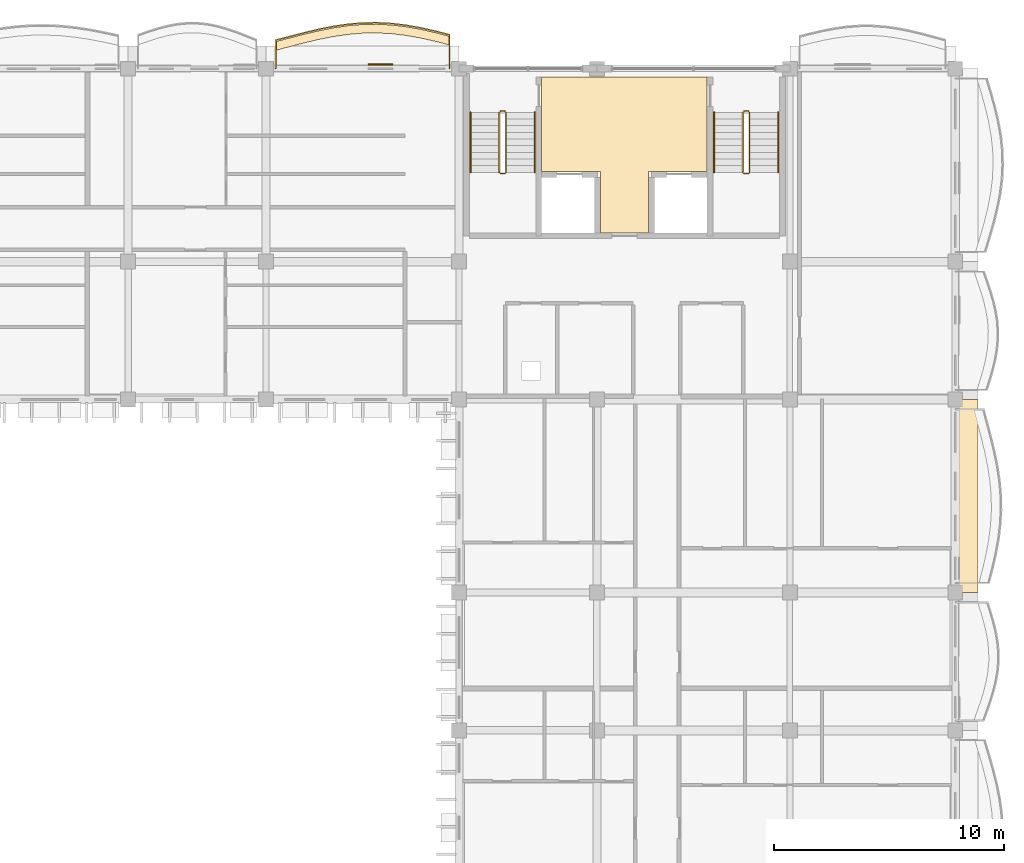
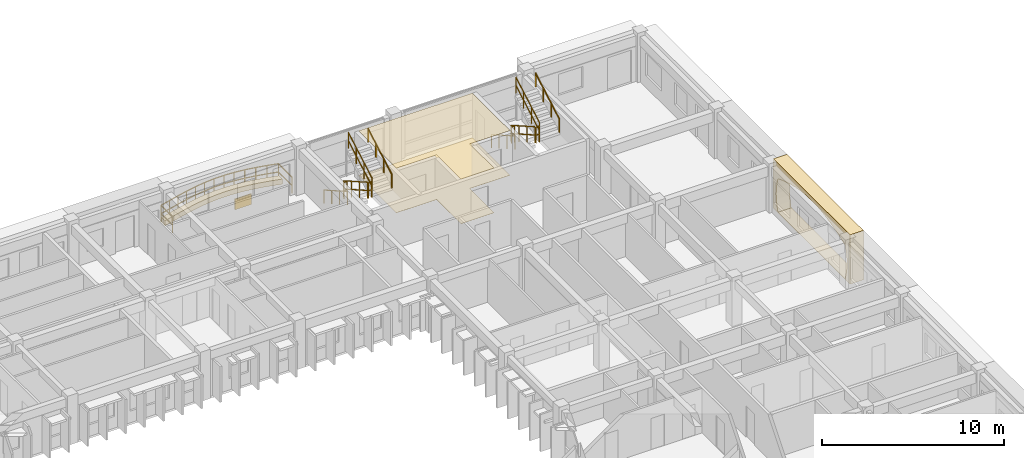
# One storey, part 64 of 66: 13 railings, 5 coverings.
"""IFC4 building model written with IfcOpenShell, lengths in metres."""

import ifcopenshell
import ifcopenshell.guid

model = None  # the IFC model being written
_history = None  # IfcOwnerHistory: only IFC2X3 demands one
_inside = {}  # id of a spatial element -> (the spatial element, [elements in it])
_under = {}  # id of a project, library or spatial element -> (it, [spatial elements below it])
_declared = {}  # id of a project -> (the project, [libraries it declares])
_typed = {}  # id of a type object -> (the type object, [elements of that type])
_made_of = {}  # id of a material, layer set ... -> (it, [elements and type objects made of it])


def new_model(schema):
    """Start an empty IFC model of exactly this schema.

    Asked for "IFC4X3", IfcOpenShell would pick the latest addendum, in which some entities
    have other attributes; the version numbers below select the first issue.
    IFC2X3 requires an IfcOwnerHistory on every rooted entity: one is made here for all.
    """
    global model, _history
    if schema == "IFC4X3":
        model = ifcopenshell.file(schema_version=(4, 3, 0, 0))
    else:
        model = ifcopenshell.file(schema=schema)
    _inside.clear()
    _under.clear()
    _declared.clear()
    _typed.clear()
    _made_of.clear()
    _history = None
    if model.schema == "IFC2X3":
        org = make("IfcOrganization", Name="unknown")
        user = make(
            "IfcPersonAndOrganization",
            ThePerson=make("IfcPerson", FamilyName="unknown"),
            TheOrganization=org,
        )
        app = make(
            "IfcApplication",
            ApplicationDeveloper=org,
            Version="unknown",
            ApplicationFullName="unknown",
            ApplicationIdentifier="unknown",
        )
        _history = make(
            "IfcOwnerHistory",
            OwningUser=user,
            OwningApplication=app,
            ChangeAction="ADDED",
            CreationDate=0,
        )
    return model


def make(cls, **values):
    """One entity of the class cls with the attributes given. An attribute that is None is left unset."""
    return model.create_entity(
        cls, **{name: value for name, value in values.items() if value is not None}
    )


def rooted(cls, **values):
    """An entity with a GlobalId (a new one), such as an element, a storey or a relation."""
    return make(cls, GlobalId=ifcopenshell.guid.new(), OwnerHistory=_history, **values)


def si_unit(unit_type, name, prefix=None):
    """IfcSIUnit, for example si_unit("LENGTHUNIT", "METRE", prefix="MILLI")."""
    return make("IfcSIUnit", UnitType=unit_type, Prefix=prefix, Name=name)


def assignment(units):
    """IfcUnitAssignment: the units of a project."""
    return None if units is None else make("IfcUnitAssignment", Units=units)


def point(xyz):
    """IfcCartesianPoint."""
    return None if xyz is None else make("IfcCartesianPoint", Coordinates=xyz)


def direction(xyz):
    """IfcDirection."""
    return None if xyz is None else make("IfcDirection", DirectionRatios=xyz)


def frame(location, z_axis=None, x_axis=None):
    """IfcAxis2Placement3D, a coordinate frame: its origin and axes. An axis left out is left unset."""
    return make(
        "IfcAxis2Placement3D",
        Location=point(location),
        Axis=direction(z_axis),
        RefDirection=direction(x_axis),
    )


def frame_2d(location, x_axis=None):
    """IfcAxis2Placement2D, a coordinate frame in the plane: its origin and x axis."""
    return make(
        "IfcAxis2Placement2D", Location=point(location), RefDirection=direction(x_axis)
    )


def origin():
    """The frame at (0, 0, 0) with its axes left unset."""
    return frame((0.0, 0.0, 0.0))


def origin_2d():
    """The frame at (0, 0) in the plane with its x axis left unset."""
    return frame_2d((0.0, 0.0))


def place(relative_to, where):
    """IfcLocalPlacement: puts the frame where relative to a parent placement (None: the world)."""
    return make(
        "IfcLocalPlacement", PlacementRelTo=relative_to, RelativePlacement=where
    )


def context(
    kind, dimensions, precision=None, world=None, true_north=None, identifier=None
):
    """IfcGeometricRepresentationContext, for example the 3D "Model" context."""
    return make(
        "IfcGeometricRepresentationContext",
        ContextIdentifier=identifier,
        ContextType=kind,
        CoordinateSpaceDimension=dimensions,
        Precision=precision,
        WorldCoordinateSystem=world,
        TrueNorth=true_north,
    )


def subcontext(parent, identifier, kind, view, scale=None):
    """IfcGeometricRepresentationSubContext, for example "Body" below "Model"."""
    return make(
        "IfcGeometricRepresentationSubContext",
        ContextIdentifier=identifier,
        ContextType=kind,
        ParentContext=parent,
        TargetScale=scale,
        TargetView=view,
    )


def project(units=None, contexts=None):
    """IfcProject with its units and contexts."""
    return rooted(
        "IfcProject",
        Name="project",
        RepresentationContexts=contexts,
        UnitsInContext=assignment(units),
    )


def spatial(cls, under=None, at=None, **own):
    """A site, building, storey or space (cls), placed at a placement, below another one or the project."""
    s = rooted(cls, ObjectPlacement=at, **own)
    if under is not None:
        _under.setdefault(under.id(), (under, []))[1].append(s)
    return s


def polyline(points):
    """IfcPolyline through the points."""
    return make("IfcPolyline", Points=[point(p) for p in points])


def profile(cls, at=None, kind="AREA", **sizes):
    """A parametric profile (cls). Its sizes go by their IFC names, for example OverallWidth=200.0."""
    return make(cls, ProfileType=kind, Position=at, **sizes)


def rectangle(**sizes):
    """IfcRectangleProfileDef."""
    return profile("IfcRectangleProfileDef", **sizes)


def outline(outer, holes=None, kind="AREA"):
    """IfcArbitraryClosedProfileDef: a profile drawn as a closed curve; with holes, ...WithVoids."""
    if holes is None:
        return make("IfcArbitraryClosedProfileDef", ProfileType=kind, OuterCurve=outer)
    return make(
        "IfcArbitraryProfileDefWithVoids",
        ProfileType=kind,
        OuterCurve=outer,
        InnerCurves=holes,
    )


def extrude(swept, where, along, depth):
    """IfcExtrudedAreaSolid: the profile swept, set in the frame where, extruded along a direction by depth."""
    return make(
        "IfcExtrudedAreaSolid",
        SweptArea=swept,
        Position=where,
        ExtrudedDirection=direction(along),
        Depth=depth,
    )


def shape(context_of_items, identifier, shape_type, items):
    """IfcShapeRepresentation: the items that make up one representation, for example the "Body"."""
    return make(
        "IfcShapeRepresentation",
        ContextOfItems=context_of_items,
        RepresentationIdentifier=identifier,
        RepresentationType=shape_type,
        Items=items,
    )


def material(Name=None, Category=None):
    """IfcMaterial."""
    return make("IfcMaterial", Name=Name, Category=Category)


def layer(
    of_material, thickness, ventilated=None, Name=None, Category=None, Priority=None
):
    """IfcMaterialLayer: one layer of a wall or slab, of a material (None: an air gap)."""
    return make(
        "IfcMaterialLayer",
        Material=of_material,
        LayerThickness=thickness,
        IsVentilated=ventilated,
        Name=Name,
        Category=Category,
        Priority=Priority,
    )


def layer_set(layers, Name=None):
    """IfcMaterialLayerSet."""
    return make("IfcMaterialLayerSet", MaterialLayers=layers, LayerSetName=Name)


def made_of(thing, what):
    """Note that an element or type object is made of a material, layer set ...; save() writes the relation."""
    if what is not None:
        _made_of.setdefault(what.id(), (what, []))[1].append(thing)
    return thing


def type_object(cls, material=None, **own):
    """A type object (cls), such as IfcWallType, which elements share."""
    return made_of(rooted(cls, **own), material)


def element(
    cls,
    number,
    at=None,
    inside=None,
    cuts=None,
    type_object=None,
    material=None,
    context=None,
    identifier="Body",
    shape_type=None,
    held_by="IfcProductDefinitionShape",
    body=None,
    shapes=None,
    **own,
):
    """One element of the class cls, such as IfcWall. Its Tag is "e" and its number.

    at: its placement. inside: the storey or other place that contains it. cuts: it is an
    opening in that element (IfcRelVoidsElement). A single representation is given by context,
    identifier, shape_type and body (its items); several are given by shapes. held_by: the class
    of the entity that holds the representations. save() writes the other relations.
    """
    e = rooted(cls, Tag="e%d" % number, ObjectPlacement=at, **own)
    if body is not None:
        shapes = [shape(context, identifier, shape_type, body)]
    if shapes is not None:
        e.Representation = make(held_by, Representations=shapes)
    if inside is not None:
        _inside.setdefault(inside.id(), (inside, []))[1].append(e)
    if cuts is not None:
        rooted(
            "IfcRelVoidsElement", RelatingBuildingElement=cuts, RelatedOpeningElement=e
        )
    if type_object is not None:
        _typed.setdefault(type_object.id(), (type_object, []))[1].append(e)
    return made_of(e, material)


def aggregate(whole, parts):
    """IfcRelAggregates: a whole, such as a stair, and the parts it consists of."""
    return rooted("IfcRelAggregates", RelatingObject=whole, RelatedObjects=parts)


def save(model, path):
    """Write the relations noted so far, then the file.

    IfcRelAggregates (storeys below a building ...), IfcRelContainedInSpatialStructure (elements
    in a storey), IfcRelDefinesByType, IfcRelAssociatesMaterial and IfcRelDeclares: one each for
    every whole, place, type object, material and project.
    """
    for whole, parts in _under.values():
        aggregate(whole, parts)
    for where, things in _inside.values():
        rooted(
            "IfcRelContainedInSpatialStructure",
            RelatedElements=things,
            RelatingStructure=where,
        )
    for kind, things in _typed.values():
        rooted("IfcRelDefinesByType", RelatedObjects=things, RelatingType=kind)
    for what, things in _made_of.values():
        rooted("IfcRelAssociatesMaterial", RelatedObjects=things, RelatingMaterial=what)
    for by, libraries in _declared.values():
        rooted("IfcRelDeclares", RelatingContext=by, RelatedDefinitions=libraries)
    model.write(path)


model = new_model("IFC4")

# Units and contexts
model_context = context("Model", 3, precision=1e-05, world=origin(), true_north=direction((0.0, 1.0)))
body_context = subcontext(model_context, "Body", "Model", "MODEL_VIEW")
ifc_project = project(units=[si_unit("LENGTHUNIT", "METRE"), si_unit("AREAUNIT", "SQUARE_METRE"), si_unit("VOLUMEUNIT", "CUBIC_METRE"), si_unit("PLANEANGLEUNIT", "RADIAN"), si_unit("MASSUNIT", "GRAM", prefix="KILO"), si_unit("THERMODYNAMICTEMPERATUREUNIT", "KELVIN")], contexts=[model_context])

# Site, building, storey
site_placement = place(None, origin())
site = spatial("IfcSite", under=ifc_project, at=site_placement, CompositionType="ELEMENT")
building_placement = place(site_placement, origin())
building = spatial("IfcBuilding", under=site, at=building_placement, Name="Thalorik Housing Commons", CompositionType="ELEMENT")
storey_placement = place(building_placement, frame((0.0, 0.0, 21.300048828125)))
storey = spatial("IfcBuildingStorey", under=building, at=storey_placement, Name="L06", CompositionType="ELEMENT", Elevation=21.300048828125)

# Coverings
ifc_material_1 = material(Name="Precast concrete C40/50", Category="concrete")
ifc_layer_1 = layer(ifc_material_1, 0.85009765625, Name="Precast concrete C40/50", Category="concrete")
ifc_layer_set_1 = layer_set([ifc_layer_1], Name="Precast concrete C40/50")
covering_type_1 = type_object("IfcCoveringType", Name="ARC-CLD-CUSH-850", PredefinedType="CLADDING", material=ifc_layer_set_1)
covering_1_placement = place(storey_placement, frame((174.5625, 105.0, 0.0), z_axis=(0.0, 0.0, 1.0), x_axis=(0.0, 1.0, 0.0)))
element("IfcCovering", 1, at=covering_1_placement, inside=storey, type_object=covering_type_1, Name="L06 White Precast Curved Cushion Bay Frame 2553", PredefinedType="CLADDING", context=body_context, shape_type="SweptSolid", body=[
    extrude(outline(polyline([(-4.199951171875, 0.0), (4.199951171875, 0.0), (4.199951171875, 3.300048828125), (-4.199951171875, 3.300048828125), (-4.199951171875, 0.0)]), holes=[polyline([(3.7001953125, 0.02490234375), (3.8056640625, 0.399169921875), (3.868896484375, 0.773193359375), (3.89013671875, 1.1474609375), (3.868896484375, 1.521728515625), (3.8056640625, 1.895751953125), (3.7001953125, 2.27001953125), (3.08642578125, 2.50439453125), (2.47265625, 2.6884765625), (1.85888671875, 2.837646484375), (1.245361328125, 2.948486328125), (0.631591796875, 3.016845703125), (0.017822265625, 3.0400390625), (-0.595947265625, 3.016845703125), (-1.209716796875, 2.948486328125), (-1.823486328125, 2.837646484375), (-2.43701171875, 2.6884765625), (-3.05078125, 2.50439453125), (-3.66455078125, 2.27001953125), (-3.777587890625, 1.895751953125), (-3.845458984375, 1.521728515625), (-3.8681640625, 1.1474609375), (-3.845458984375, 0.773193359375), (-3.777587890625, 0.399169921875), (-3.66455078125, 0.02490234375), (3.7001953125, 0.02490234375)])]), frame((0.0, 0.425048828125, 0.0), z_axis=(0.0, -1.0, 0.0), x_axis=(1.0, 0.0, 0.0)), (0.0, 0.0, 1.0), 0.85009765625),
])
ifc_material_2 = material(Name="Mineral ochre architectural terracotta panel", Category="masonry")
ifc_layer_2 = layer(ifc_material_2, 0.06494140625, Name="Mineral ochre architectural terracotta panel", Category="masonry")
ifc_layer_set_2 = layer_set([ifc_layer_2], Name="Mineral ochre architectural terracotta panel")
covering_type_2 = type_object("IfcCoveringType", Name="ARC-CLD-YEL-65", PredefinedType="CLADDING", material=ifc_layer_set_2)
covering_2_placement = place(storey_placement, frame((148.985107421875, 123.77490234375, 0.0498046875), z_axis=(0.0, 0.0, 1.0), x_axis=(-1.0, 0.0, 0.0)))
element("IfcCovering", 2, at=covering_2_placement, inside=storey, type_object=covering_type_2, Name="L06 De Stijl Recessed Window Spandrel 2369", PredefinedType="CLADDING", context=body_context, shape_type="SweptSolid", body=[
    extrude(rectangle(XDim=1.050048828125, YDim=0.06494140625, at=origin_2d()), origin(), (0.0, 0.0, 1.0), 0.699951171875),
])
ifc_material_3 = material(Name="Perforated acoustic gypsum ceiling board")
ifc_layer_3 = layer(ifc_material_3, 0.014892578125, Name="Perforated acoustic gypsum ceiling board")
ifc_layer_set_3 = layer_set([ifc_layer_3], Name="Perforated acoustic gypsum ceiling board")
covering_type_3 = type_object("IfcCoveringType", Name="ARC-COV-CEIL-01", PredefinedType="CEILING", material=ifc_layer_set_3)
covering_3_placement = place(storey_placement, frame((0.0, 0.0, 2.98486328125)))
element("IfcCovering", 3, at=covering_3_placement, inside=storey, type_object=covering_type_3, Name="L06 Block B Firefighting Lift Lobby Suspended Ceiling", PredefinedType="CEILING", context=body_context, shape_type="SweptSolid", body=[
    extrude(outline(polyline([(158.550048828125, 116.449951171875), (160.64990234375, 116.449951171875), (160.650146484375, 119.1201171875), (163.199951171875, 119.1201171875), (163.199951171875, 123.25), (156.0, 123.25), (156.0, 119.1201171875), (158.550048828125, 119.1201171875), (158.550048828125, 116.449951171875)])), origin(), (0.0, 0.0, 1.0), 0.01513671875),
])
ifc_material_4 = material(Name="Glazed Recife ceramic apartment floor tile")
ifc_layer_4 = layer(ifc_material_4, 0.011962890625, Name="Glazed Recife ceramic apartment floor tile")
ifc_layer_set_4 = layer_set([ifc_layer_4], Name="Glazed Recife ceramic apartment floor tile")
covering_type_4 = type_object("IfcCoveringType", Name="ARC-COV-FLR-01", PredefinedType="FLOORING", material=ifc_layer_set_4)
covering_4_placement = place(storey_placement, origin())
element("IfcCovering", 4, at=covering_4_placement, inside=storey, type_object=covering_type_4, Name="L06 Block B Firefighting Lift Lobby Flooring", PredefinedType="FLOORING", context=body_context, shape_type="SweptSolid", body=[
    extrude(outline(polyline([(158.550048828125, 116.449951171875), (160.64990234375, 116.449951171875), (160.650146484375, 119.1201171875), (163.199951171875, 119.1201171875), (163.199951171875, 123.25), (156.0, 123.25), (156.0, 119.1201171875), (158.550048828125, 119.1201171875), (158.550048828125, 116.449951171875)])), origin(), (0.0, 0.0, 1.0), 0.011962890625),
])
ifc_material_5 = material(Name="Planted vegetated substrate and terracotta trough", Category="masonry")
ifc_layer_5 = layer(ifc_material_5, 0.340087890625, Name="Planted vegetated substrate and terracotta trough", Category="masonry")
ifc_layer_set_5 = layer_set([ifc_layer_5], Name="Planted vegetated substrate and terracotta trough")
covering_type_5 = type_object("IfcCoveringType", Name="ARC-COV-PLANTER", PredefinedType="USERDEFINED", material=ifc_layer_set_5)
covering_5_placement = place(storey_placement, origin())
element("IfcCovering", 5, at=covering_5_placement, inside=storey, type_object=covering_type_5, Name="L06 Balcony Slab-Edge Planted Trough 5494", ObjectType="PLANTER", PredefinedType="USERDEFINED", context=body_context, shape_type="SweptSolid", body=[
    extrude(outline(polyline([(151.97998046875, 125.015380859375), (151.35009765625, 125.176025390625), (150.719970703125, 125.317138671875), (150.090087890625, 125.428955078125), (149.4599609375, 125.50390625), (148.830078125, 125.537109375), (148.199951171875, 125.526611328125), (147.570068359375, 125.47314453125), (146.93994140625, 125.380615234375), (146.31005859375, 125.255615234375), (145.679931640625, 125.10693359375), (145.050048828125, 124.944580078125), (144.419921875, 124.7802734375), (144.419921875, 124.400146484375), (145.050048828125, 124.564697265625), (145.679931640625, 124.726806640625), (146.31005859375, 124.875732421875), (146.93994140625, 125.00048828125), (147.570068359375, 125.093017578125), (148.199951171875, 125.146484375), (148.830078125, 125.156982421875), (149.4599609375, 125.123779296875), (150.090087890625, 125.048828125), (150.719970703125, 124.937255859375), (151.35009765625, 124.796142578125), (151.97998046875, 124.635498046875), (151.97998046875, 125.015380859375)])), origin(), (0.0, 0.0, 1.0), 0.33984375),
])

# Railings
ifc_material_6 = material(Name="Steel S355", Category="steel")
railing_type_1 = type_object("IfcRailingType", Name="ARC-RL-BAL-112", PredefinedType="BALUSTRADE", material=ifc_material_6)
railing_1_placement = place(storey_placement, frame((151.97998046875, 123.60009765625, 0.0)))
element("IfcRailing", 6, at=railing_1_placement, inside=storey, type_object=railing_type_1, Name="L06 Cushion Balcony Guardrail 178", PredefinedType="BALUSTRADE", context=body_context, shape_type="SweptSolid", body=[
    extrude(rectangle(XDim=0.050048828125, YDim=0.050048828125, at=origin_2d()), frame((0.0, 0.0, 1.09521484375), z_axis=(0.0, 1.0, 0.0), x_axis=(-1.0, 0.0, 0.0)), (0.0, 0.0, 1.0), 1.4853515625),
    extrude(rectangle(XDim=0.050048828125, YDim=0.050048828125, at=origin_2d()), frame((0.0, 0.0, 0.53515625), z_axis=(0.0, 1.0, 0.0), x_axis=(-1.0, 0.0, 0.0)), (0.0, 0.0, 1.0), 1.4853515625),
    extrude(rectangle(XDim=0.050048828125, YDim=0.050048828125, at=origin_2d()), frame((0.0, 1.4853515625, 1.09521484375), z_axis=(-0.968982800082, 0.247128171494, 0.0), x_axis=(-0.247128171494, -0.968982800082, 0.0)), (0.0, 0.0, 1.0), 0.650146484375),
    extrude(rectangle(XDim=0.050048828125, YDim=0.050048828125, at=origin_2d()), frame((0.0, 1.4853515625, 0.53515625), z_axis=(-0.968982800082, 0.247128171494, 0.0), x_axis=(-0.247128171494, -0.968982800082, 0.0)), (0.0, 0.0, 1.0), 0.650146484375),
    extrude(rectangle(XDim=0.050048828125, YDim=0.050048828125, at=origin_2d()), frame((-0.6298828125, 1.64599609375, 1.09521484375), z_axis=(-0.975829904867, 0.218531454868, 0.0), x_axis=(-0.218531454868, -0.975829904867, 0.0)), (0.0, 0.0, 1.0), 0.645751953125),
    extrude(rectangle(XDim=0.050048828125, YDim=0.050048828125, at=origin_2d()), frame((-0.6298828125, 1.64599609375, 0.53515625), z_axis=(-0.975829904867, 0.218531454868, 0.0), x_axis=(-0.218531454868, -0.975829904867, 0.0)), (0.0, 0.0, 1.0), 0.645751953125),
    extrude(rectangle(XDim=0.050048828125, YDim=0.050048828125, at=origin_2d()), frame((-1.260009765625, 1.787109375, 1.09521484375), z_axis=(-0.984671933408, 0.174416695181, 0.0), x_axis=(-0.174416695181, -0.984671933408, 0.0)), (0.0, 0.0, 1.0), 0.6396484375),
    extrude(rectangle(XDim=0.050048828125, YDim=0.050048828125, at=origin_2d()), frame((-1.260009765625, 1.787109375, 0.53515625), z_axis=(-0.984671933408, 0.174416695181, 0.0), x_axis=(-0.174416695181, -0.984671933408, 0.0)), (0.0, 0.0, 1.0), 0.6396484375),
    extrude(rectangle(XDim=0.050048828125, YDim=0.050048828125, at=origin_2d()), frame((-1.889892578125, 1.898681640625, 1.09521484375), z_axis=(-0.992954902606, 0.118492874856, 0.0), x_axis=(-0.118492874856, -0.992954902606, 0.0)), (0.0, 0.0, 1.0), 0.634521484375),
    extrude(rectangle(XDim=0.050048828125, YDim=0.050048828125, at=origin_2d()), frame((-1.889892578125, 1.898681640625, 0.53515625), z_axis=(-0.992954902606, 0.118492874856, 0.0), x_axis=(-0.118492874856, -0.992954902606, 0.0)), (0.0, 0.0, 1.0), 0.634521484375),
    extrude(rectangle(XDim=0.050048828125, YDim=0.050048828125, at=origin_2d()), frame((-2.52001953125, 1.973876953125, 1.09521484375), z_axis=(-0.998613549126, 0.052640094062, 0.0), x_axis=(-0.052640094062, -0.998613549126, 0.0)), (0.0, 0.0, 1.0), 0.630859375),
    extrude(rectangle(XDim=0.050048828125, YDim=0.050048828125, at=origin_2d()), frame((-2.52001953125, 1.973876953125, 0.53515625), z_axis=(-0.998613549126, 0.052640094062, 0.0), x_axis=(-0.052640094062, -0.998613549126, 0.0)), (0.0, 0.0, 1.0), 0.630859375),
    extrude(rectangle(XDim=0.050048828125, YDim=0.050048828125, at=origin_2d()), frame((-3.14990234375, 2.007080078125, 1.09521484375), z_axis=(-0.999854720379, -0.01704517927, 0.0), x_axis=(0.01704517927, -0.999854720379, 0.0)), (0.0, 0.0, 1.0), 0.630126953125),
    extrude(rectangle(XDim=0.050048828125, YDim=0.050048828125, at=origin_2d()), frame((-3.14990234375, 2.007080078125, 0.53515625), z_axis=(-0.999854720379, -0.01704517927, 0.0), x_axis=(0.01704517927, -0.999854720379, 0.0)), (0.0, 0.0, 1.0), 0.630126953125),
    extrude(rectangle(XDim=0.050048828125, YDim=0.050048828125, at=origin_2d()), frame((-3.780029296875, 1.996337890625, 1.09521484375), z_axis=(-0.99644920467, -0.084196095588, 0.0), x_axis=(0.084196095588, -0.99644920467, 0.0)), (0.0, 0.0, 1.0), 0.632080078125),
    extrude(rectangle(XDim=0.050048828125, YDim=0.050048828125, at=origin_2d()), frame((-3.780029296875, 1.996337890625, 0.53515625), z_axis=(-0.99644920467, -0.084196095588, 0.0), x_axis=(0.084196095588, -0.99644920467, 0.0)), (0.0, 0.0, 1.0), 0.632080078125),
    extrude(rectangle(XDim=0.050048828125, YDim=0.050048828125, at=origin_2d()), frame((-4.409912109375, 1.943115234375, 1.09521484375), z_axis=(-0.989389948801, -0.145284304764, 0.0), x_axis=(0.145284304764, -0.989389948801, 0.0)), (0.0, 0.0, 1.0), 0.636962890625),
    extrude(rectangle(XDim=0.050048828125, YDim=0.050048828125, at=origin_2d()), frame((-4.409912109375, 1.943115234375, 0.53515625), z_axis=(-0.989389948801, -0.145284304764, 0.0), x_axis=(0.145284304764, -0.989389948801, 0.0)), (0.0, 0.0, 1.0), 0.636962890625),
    extrude(rectangle(XDim=0.050048828125, YDim=0.050048828125, at=origin_2d()), frame((-5.0400390625, 1.8505859375, 1.09521484375), z_axis=(-0.980872033872, -0.194653674939, 0.0), x_axis=(0.194653674939, -0.980872033872, 0.0)), (0.0, 0.0, 1.0), 0.64208984375),
    extrude(rectangle(XDim=0.050048828125, YDim=0.050048828125, at=origin_2d()), frame((-5.0400390625, 1.8505859375, 0.53515625), z_axis=(-0.980872033872, -0.194653674939, 0.0), x_axis=(0.194653674939, -0.980872033872, 0.0)), (0.0, 0.0, 1.0), 0.64208984375),
    extrude(rectangle(XDim=0.050048828125, YDim=0.050048828125, at=origin_2d()), frame((-5.669921875, 1.7255859375, 1.09521484375), z_axis=(-0.973273559033, -0.2296488173, 0.0), x_axis=(0.2296488173, -0.973273559033, 0.0)), (0.0, 0.0, 1.0), 0.6474609375),
    extrude(rectangle(XDim=0.050048828125, YDim=0.050048828125, at=origin_2d()), frame((-5.669921875, 1.7255859375, 0.53515625), z_axis=(-0.973273559033, -0.2296488173, 0.0), x_axis=(0.2296488173, -0.973273559033, 0.0)), (0.0, 0.0, 1.0), 0.6474609375),
    extrude(rectangle(XDim=0.050048828125, YDim=0.050048828125, at=origin_2d()), frame((-6.300048828125, 1.576904296875, 1.09521484375), z_axis=(-0.968350517178, -0.249594222451, 0.0), x_axis=(0.249594222451, -0.968350517178, 0.0)), (0.0, 0.0, 1.0), 0.650390625),
    extrude(rectangle(XDim=0.050048828125, YDim=0.050048828125, at=origin_2d()), frame((-6.300048828125, 1.576904296875, 0.53515625), z_axis=(-0.968350517178, -0.249594222451, 0.0), x_axis=(0.249594222451, -0.968350517178, 0.0)), (0.0, 0.0, 1.0), 0.650390625),
    extrude(rectangle(XDim=0.050048828125, YDim=0.050048828125, at=origin_2d()), frame((-6.929931640625, 1.41455078125, 1.09521484375), z_axis=(-0.967553545938, -0.252666055778, 0.0), x_axis=(0.252666055778, -0.967553545938, 0.0)), (0.0, 0.0, 1.0), 0.6513671875),
    extrude(rectangle(XDim=0.050048828125, YDim=0.050048828125, at=origin_2d()), frame((-6.929931640625, 1.41455078125, 0.53515625), z_axis=(-0.967553545938, -0.252666055778, 0.0), x_axis=(0.252666055778, -0.967553545938, 0.0)), (0.0, 0.0, 1.0), 0.6513671875),
    extrude(rectangle(XDim=0.050048828125, YDim=0.050048828125, at=origin_2d()), frame((-7.56005859375, 1.25, 1.09521484375), z_axis=(0.0, -1.0, 0.0), x_axis=(1.0, 0.0, 0.0)), (0.0, 0.0, 1.0), 1.25),
    extrude(rectangle(XDim=0.050048828125, YDim=0.050048828125, at=origin_2d()), frame((-7.56005859375, 1.25, 0.53515625), z_axis=(0.0, -1.0, 0.0), x_axis=(1.0, 0.0, 0.0)), (0.0, 0.0, 1.0), 1.25),
    extrude(rectangle(XDim=0.0419921875, YDim=0.0419921875, at=origin_2d()), origin(), (0.0, 0.0, 1.0), 1.070068359375),
    extrude(rectangle(XDim=0.0419921875, YDim=0.0419921875, at=origin_2d()), frame((0.0, 1.4853515625, 0.0)), (0.0, 0.0, 1.0), 1.070068359375),
    extrude(rectangle(XDim=0.0419921875, YDim=0.0419921875, at=origin_2d()), frame((-0.6298828125, 1.64599609375, 0.0)), (0.0, 0.0, 1.0), 1.070068359375),
    extrude(rectangle(XDim=0.0419921875, YDim=0.0419921875, at=origin_2d()), frame((-1.260009765625, 1.787109375, 0.0)), (0.0, 0.0, 1.0), 1.070068359375),
    extrude(rectangle(XDim=0.0419921875, YDim=0.0419921875, at=origin_2d()), frame((-1.889892578125, 1.898681640625, 0.0)), (0.0, 0.0, 1.0), 1.070068359375),
    extrude(rectangle(XDim=0.0419921875, YDim=0.0419921875, at=origin_2d()), frame((-2.52001953125, 1.973876953125, 0.0)), (0.0, 0.0, 1.0), 1.070068359375),
    extrude(rectangle(XDim=0.0419921875, YDim=0.0419921875, at=origin_2d()), frame((-3.14990234375, 2.007080078125, 0.0)), (0.0, 0.0, 1.0), 1.070068359375),
    extrude(rectangle(XDim=0.0419921875, YDim=0.0419921875, at=origin_2d()), frame((-3.780029296875, 1.996337890625, 0.0)), (0.0, 0.0, 1.0), 1.070068359375),
    extrude(rectangle(XDim=0.0419921875, YDim=0.0419921875, at=origin_2d()), frame((-4.409912109375, 1.943115234375, 0.0)), (0.0, 0.0, 1.0), 1.070068359375),
    extrude(rectangle(XDim=0.0419921875, YDim=0.0419921875, at=origin_2d()), frame((-5.0400390625, 1.8505859375, 0.0)), (0.0, 0.0, 1.0), 1.070068359375),
    extrude(rectangle(XDim=0.0419921875, YDim=0.0419921875, at=origin_2d()), frame((-5.669921875, 1.7255859375, 0.0)), (0.0, 0.0, 1.0), 1.070068359375),
    extrude(rectangle(XDim=0.0419921875, YDim=0.0419921875, at=origin_2d()), frame((-6.300048828125, 1.576904296875, 0.0)), (0.0, 0.0, 1.0), 1.070068359375),
    extrude(rectangle(XDim=0.0419921875, YDim=0.0419921875, at=origin_2d()), frame((-6.929931640625, 1.41455078125, 0.0)), (0.0, 0.0, 1.0), 1.070068359375),
    extrude(rectangle(XDim=0.0419921875, YDim=0.0419921875, at=origin_2d()), frame((-7.56005859375, 1.25, 0.0)), (0.0, 0.0, 1.0), 1.070068359375),
    extrude(rectangle(XDim=0.0419921875, YDim=0.0419921875, at=origin_2d()), frame((-7.56005859375, 0.0, 0.0)), (0.0, 0.0, 1.0), 1.070068359375),
])
railing_type_2 = type_object("IfcRailingType", Name="ARC-RL-STR-GRD110", PredefinedType="GUARDRAIL", material=ifc_material_6)
railing_2_placement = place(storey_placement, frame((154.14990234375, 121.699951171875, 0.1650390625)))
element("IfcRailing", 7, at=railing_2_placement, inside=storey, type_object=railing_type_2, Name="L06 ST-B1 stair guard 1", PredefinedType="GUARDRAIL", context=body_context, shape_type="SweptSolid", body=[
    extrude(rectangle(XDim=0.048095703125, YDim=0.048095703125, at=origin_2d()), frame((0.0, 0.0, 1.076171875), z_axis=(0.0, -0.869172267526, 0.494509422927), x_axis=(1.0, 0.0, 0.0)), (0.0, 0.0, 1.0), 3.002685546875),
    extrude(rectangle(XDim=0.048095703125, YDim=0.048095703125, at=origin_2d()), frame((0.0, 0.0, 0.52587890625), z_axis=(0.0, -0.869172267526, 0.494509422927), x_axis=(1.0, 0.0, 0.0)), (0.0, 0.0, 1.0), 3.002685546875),
    extrude(rectangle(XDim=0.0419921875, YDim=0.0419921875, at=origin_2d()), origin(), (0.0, 0.0, 1.0), 1.052001953125),
    extrude(rectangle(XDim=0.0419921875, YDim=0.0419921875, at=origin_2d()), frame((0.0, -0.869873046875, 0.494873046875)), (0.0, 0.0, 1.0), 1.052001953125),
    extrude(rectangle(XDim=0.0419921875, YDim=0.0419921875, at=origin_2d()), frame((0.0, -1.739990234375, 0.989990234375)), (0.0, 0.0, 1.0), 1.052001953125),
    extrude(rectangle(XDim=0.0419921875, YDim=0.0419921875, at=origin_2d()), frame((0.0, -2.60986328125, 1.48486328125)), (0.0, 0.0, 1.0), 1.052001953125),
])
railing_3_placement = place(storey_placement, frame((154.199951171875, 119.0400390625, 1.64990234375)))
element("IfcRailing", 8, at=railing_3_placement, inside=storey, type_object=railing_type_2, Name="L06 ST-B1 stair guard 2", PredefinedType="GUARDRAIL", context=body_context, shape_type="SweptSolid", body=[
    extrude(rectangle(XDim=0.048095703125, YDim=0.048095703125, at=origin_2d()), frame((0.0, 0.0, 1.076171875), z_axis=(1.0, 0.0, 0.0), x_axis=(0.0, 1.0, 0.0)), (0.0, 0.0, 1.0), 0.199951171875),
    extrude(rectangle(XDim=0.048095703125, YDim=0.048095703125, at=origin_2d()), frame((0.0, 0.0, 0.52587890625), z_axis=(1.0, 0.0, 0.0), x_axis=(0.0, 1.0, 0.0)), (0.0, 0.0, 1.0), 0.199951171875),
    extrude(rectangle(XDim=0.0419921875, YDim=0.0419921875, at=origin_2d()), origin(), (0.0, 0.0, 1.0), 1.052001953125),
    extrude(rectangle(XDim=0.0419921875, YDim=0.0419921875, at=origin_2d()), frame((0.199951171875, 0.0, 0.0)), (0.0, 0.0, 1.0), 1.052001953125),
])
railing_4_placement = place(storey_placement, frame((154.449951171875, 119.090087890625, 1.81494140625)))
element("IfcRailing", 9, at=railing_4_placement, inside=storey, type_object=railing_type_2, Name="L06 ST-B1 stair guard 3", PredefinedType="GUARDRAIL", context=body_context, shape_type="SweptSolid", body=[
    extrude(rectangle(XDim=0.048095703125, YDim=0.048095703125, at=origin_2d()), frame((0.0, 0.0, 1.076171875), z_axis=(0.0, 0.869137319866, 0.494570843475), x_axis=(-1.0, 0.0, 0.0)), (0.0, 0.0, 1.0), 3.0029296875),
    extrude(rectangle(XDim=0.048095703125, YDim=0.048095703125, at=origin_2d()), frame((0.0, 0.0, 0.52587890625), z_axis=(0.0, 0.869137319866, 0.494570843475), x_axis=(-1.0, 0.0, 0.0)), (0.0, 0.0, 1.0), 3.0029296875),
    extrude(rectangle(XDim=0.0419921875, YDim=0.0419921875, at=origin_2d()), origin(), (0.0, 0.0, 1.0), 1.052001953125),
    extrude(rectangle(XDim=0.0419921875, YDim=0.0419921875, at=origin_2d()), frame((0.0, 0.869873046875, 0.4951171875)), (0.0, 0.0, 1.0), 1.052001953125),
    extrude(rectangle(XDim=0.0419921875, YDim=0.0419921875, at=origin_2d()), frame((0.0, 1.739990234375, 0.989990234375)), (0.0, 0.0, 1.0), 1.052001953125),
    extrude(rectangle(XDim=0.0419921875, YDim=0.0419921875, at=origin_2d()), frame((0.0, 2.60986328125, 1.485107421875)), (0.0, 0.0, 1.0), 1.052001953125),
])
railing_5_placement = place(storey_placement, frame((154.199951171875, 121.75, 0.0)))
element("IfcRailing", 10, at=railing_5_placement, inside=storey, type_object=railing_type_2, Name="L06 ST-B1 stair guard 4", PredefinedType="GUARDRAIL", context=body_context, shape_type="SweptSolid", body=[
    extrude(rectangle(XDim=0.048095703125, YDim=0.048095703125, at=origin_2d()), frame((0.0, 0.0, 1.076171875), z_axis=(1.0, 0.0, 0.0), x_axis=(0.0, 1.0, 0.0)), (0.0, 0.0, 1.0), 0.199951171875),
    extrude(rectangle(XDim=0.048095703125, YDim=0.048095703125, at=origin_2d()), frame((0.0, 0.0, 0.52587890625), z_axis=(1.0, 0.0, 0.0), x_axis=(0.0, 1.0, 0.0)), (0.0, 0.0, 1.0), 0.199951171875),
    extrude(rectangle(XDim=0.0419921875, YDim=0.0419921875, at=origin_2d()), origin(), (0.0, 0.0, 1.0), 1.052001953125),
    extrude(rectangle(XDim=0.0419921875, YDim=0.0419921875, at=origin_2d()), frame((0.199951171875, 0.0, 0.0)), (0.0, 0.0, 1.0), 1.052001953125),
])
railing_6_placement = place(storey_placement, frame((164.75, 121.699951171875, 0.1650390625)))
element("IfcRailing", 11, at=railing_6_placement, inside=storey, type_object=railing_type_2, Name="L06 ST-B2 stair guard 1", PredefinedType="GUARDRAIL", context=body_context, shape_type="SweptSolid", body=[
    extrude(rectangle(XDim=0.048095703125, YDim=0.048095703125, at=origin_2d()), frame((0.0, 0.0, 1.076171875), z_axis=(0.0, -0.869172267526, 0.494509422927), x_axis=(1.0, 0.0, 0.0)), (0.0, 0.0, 1.0), 3.002685546875),
    extrude(rectangle(XDim=0.048095703125, YDim=0.048095703125, at=origin_2d()), frame((0.0, 0.0, 0.52587890625), z_axis=(0.0, -0.869172267526, 0.494509422927), x_axis=(1.0, 0.0, 0.0)), (0.0, 0.0, 1.0), 3.002685546875),
    extrude(rectangle(XDim=0.0419921875, YDim=0.0419921875, at=origin_2d()), origin(), (0.0, 0.0, 1.0), 1.052001953125),
    extrude(rectangle(XDim=0.0419921875, YDim=0.0419921875, at=origin_2d()), frame((0.0, -0.869873046875, 0.494873046875)), (0.0, 0.0, 1.0), 1.052001953125),
    extrude(rectangle(XDim=0.0419921875, YDim=0.0419921875, at=origin_2d()), frame((0.0, -1.739990234375, 0.989990234375)), (0.0, 0.0, 1.0), 1.052001953125),
    extrude(rectangle(XDim=0.0419921875, YDim=0.0419921875, at=origin_2d()), frame((0.0, -2.60986328125, 1.48486328125)), (0.0, 0.0, 1.0), 1.052001953125),
])
railing_7_placement = place(storey_placement, frame((164.800048828125, 119.0400390625, 1.64990234375)))
element("IfcRailing", 12, at=railing_7_placement, inside=storey, type_object=railing_type_2, Name="L06 ST-B2 stair guard 2", PredefinedType="GUARDRAIL", context=body_context, shape_type="SweptSolid", body=[
    extrude(rectangle(XDim=0.048095703125, YDim=0.048095703125, at=origin_2d()), frame((0.0, 0.0, 1.076171875), z_axis=(1.0, 0.0, 0.0), x_axis=(0.0, 1.0, 0.0)), (0.0, 0.0, 1.0), 0.199951171875),
    extrude(rectangle(XDim=0.048095703125, YDim=0.048095703125, at=origin_2d()), frame((0.0, 0.0, 0.52587890625), z_axis=(1.0, 0.0, 0.0), x_axis=(0.0, 1.0, 0.0)), (0.0, 0.0, 1.0), 0.199951171875),
    extrude(rectangle(XDim=0.0419921875, YDim=0.0419921875, at=origin_2d()), origin(), (0.0, 0.0, 1.0), 1.052001953125),
    extrude(rectangle(XDim=0.0419921875, YDim=0.0419921875, at=origin_2d()), frame((0.199951171875, 0.0, 0.0)), (0.0, 0.0, 1.0), 1.052001953125),
])
railing_8_placement = place(storey_placement, frame((165.050048828125, 119.090087890625, 1.81494140625)))
element("IfcRailing", 13, at=railing_8_placement, inside=storey, type_object=railing_type_2, Name="L06 ST-B2 stair guard 3", PredefinedType="GUARDRAIL", context=body_context, shape_type="SweptSolid", body=[
    extrude(rectangle(XDim=0.048095703125, YDim=0.048095703125, at=origin_2d()), frame((0.0, 0.0, 1.076171875), z_axis=(0.0, 0.869137319866, 0.494570843475), x_axis=(-1.0, 0.0, 0.0)), (0.0, 0.0, 1.0), 3.0029296875),
    extrude(rectangle(XDim=0.048095703125, YDim=0.048095703125, at=origin_2d()), frame((0.0, 0.0, 0.52587890625), z_axis=(0.0, 0.869137319866, 0.494570843475), x_axis=(-1.0, 0.0, 0.0)), (0.0, 0.0, 1.0), 3.0029296875),
    extrude(rectangle(XDim=0.0419921875, YDim=0.0419921875, at=origin_2d()), origin(), (0.0, 0.0, 1.0), 1.052001953125),
    extrude(rectangle(XDim=0.0419921875, YDim=0.0419921875, at=origin_2d()), frame((0.0, 0.869873046875, 0.4951171875)), (0.0, 0.0, 1.0), 1.052001953125),
    extrude(rectangle(XDim=0.0419921875, YDim=0.0419921875, at=origin_2d()), frame((0.0, 1.739990234375, 0.989990234375)), (0.0, 0.0, 1.0), 1.052001953125),
    extrude(rectangle(XDim=0.0419921875, YDim=0.0419921875, at=origin_2d()), frame((0.0, 2.60986328125, 1.485107421875)), (0.0, 0.0, 1.0), 1.052001953125),
])
railing_9_placement = place(storey_placement, frame((164.800048828125, 121.75, 0.0)))
element("IfcRailing", 14, at=railing_9_placement, inside=storey, type_object=railing_type_2, Name="L06 ST-B2 stair guard 4", PredefinedType="GUARDRAIL", context=body_context, shape_type="SweptSolid", body=[
    extrude(rectangle(XDim=0.048095703125, YDim=0.048095703125, at=origin_2d()), frame((0.0, 0.0, 1.076171875), z_axis=(1.0, 0.0, 0.0), x_axis=(0.0, 1.0, 0.0)), (0.0, 0.0, 1.0), 0.199951171875),
    extrude(rectangle(XDim=0.048095703125, YDim=0.048095703125, at=origin_2d()), frame((0.0, 0.0, 0.52587890625), z_axis=(1.0, 0.0, 0.0), x_axis=(0.0, 1.0, 0.0)), (0.0, 0.0, 1.0), 0.199951171875),
    extrude(rectangle(XDim=0.0419921875, YDim=0.0419921875, at=origin_2d()), origin(), (0.0, 0.0, 1.0), 1.052001953125),
    extrude(rectangle(XDim=0.0419921875, YDim=0.0419921875, at=origin_2d()), frame((0.199951171875, 0.0, 0.0)), (0.0, 0.0, 1.0), 1.052001953125),
])
railing_type_3 = type_object("IfcRailingType", Name="ARC-RL-STR-HR092", PredefinedType="HANDRAIL", material=ifc_material_6)
railing_10_placement = place(storey_placement, frame((152.89990234375, 121.699951171875, 0.1650390625)))
element("IfcRailing", 15, at=railing_10_placement, inside=storey, type_object=railing_type_3, Name="L06 ST-B1 stair handrail 1", PredefinedType="HANDRAIL", context=body_context, shape_type="SweptSolid", body=[
    extrude(rectangle(XDim=0.048095703125, YDim=0.048095703125, at=origin_2d()), frame((0.0, 0.0, 0.89599609375), z_axis=(0.0, -0.869172267526, 0.494509422927), x_axis=(1.0, 0.0, 0.0)), (0.0, 0.0, 1.0), 3.002685546875),
    extrude(rectangle(XDim=0.0419921875, YDim=0.0419921875, at=origin_2d()), origin(), (0.0, 0.0, 1.0), 0.871826171875),
    extrude(rectangle(XDim=0.0419921875, YDim=0.0419921875, at=origin_2d()), frame((0.0, -0.869873046875, 0.494873046875)), (0.0, 0.0, 1.0), 0.871826171875),
    extrude(rectangle(XDim=0.0419921875, YDim=0.0419921875, at=origin_2d()), frame((0.0, -1.739990234375, 0.989990234375)), (0.0, 0.0, 1.0), 0.871826171875),
    extrude(rectangle(XDim=0.0419921875, YDim=0.0419921875, at=origin_2d()), frame((0.0, -2.60986328125, 1.48486328125)), (0.0, 0.0, 1.0), 0.871826171875),
])
railing_11_placement = place(storey_placement, frame((155.699951171875, 119.090087890625, 1.81494140625)))
element("IfcRailing", 16, at=railing_11_placement, inside=storey, type_object=railing_type_3, Name="L06 ST-B1 stair handrail 2", PredefinedType="HANDRAIL", context=body_context, shape_type="SweptSolid", body=[
    extrude(rectangle(XDim=0.048095703125, YDim=0.048095703125, at=origin_2d()), frame((0.0, 0.0, 0.89599609375), z_axis=(0.0, 0.869137319866, 0.494570843475), x_axis=(-1.0, 0.0, 0.0)), (0.0, 0.0, 1.0), 3.0029296875),
    extrude(rectangle(XDim=0.0419921875, YDim=0.0419921875, at=origin_2d()), origin(), (0.0, 0.0, 1.0), 0.871826171875),
    extrude(rectangle(XDim=0.0419921875, YDim=0.0419921875, at=origin_2d()), frame((0.0, 0.869873046875, 0.4951171875)), (0.0, 0.0, 1.0), 0.871826171875),
    extrude(rectangle(XDim=0.0419921875, YDim=0.0419921875, at=origin_2d()), frame((0.0, 1.739990234375, 0.989990234375)), (0.0, 0.0, 1.0), 0.871826171875),
    extrude(rectangle(XDim=0.0419921875, YDim=0.0419921875, at=origin_2d()), frame((0.0, 2.60986328125, 1.485107421875)), (0.0, 0.0, 1.0), 0.871826171875),
])
railing_12_placement = place(storey_placement, frame((163.5, 121.699951171875, 0.1650390625)))
element("IfcRailing", 17, at=railing_12_placement, inside=storey, type_object=railing_type_3, Name="L06 ST-B2 stair handrail 1", PredefinedType="HANDRAIL", context=body_context, shape_type="SweptSolid", body=[
    extrude(rectangle(XDim=0.048095703125, YDim=0.048095703125, at=origin_2d()), frame((0.0, 0.0, 0.89599609375), z_axis=(0.0, -0.869172267526, 0.494509422927), x_axis=(1.0, 0.0, 0.0)), (0.0, 0.0, 1.0), 3.002685546875),
    extrude(rectangle(XDim=0.0419921875, YDim=0.0419921875, at=origin_2d()), origin(), (0.0, 0.0, 1.0), 0.871826171875),
    extrude(rectangle(XDim=0.0419921875, YDim=0.0419921875, at=origin_2d()), frame((0.0, -0.869873046875, 0.494873046875)), (0.0, 0.0, 1.0), 0.871826171875),
    extrude(rectangle(XDim=0.0419921875, YDim=0.0419921875, at=origin_2d()), frame((0.0, -1.739990234375, 0.989990234375)), (0.0, 0.0, 1.0), 0.871826171875),
    extrude(rectangle(XDim=0.0419921875, YDim=0.0419921875, at=origin_2d()), frame((0.0, -2.60986328125, 1.48486328125)), (0.0, 0.0, 1.0), 0.871826171875),
])
railing_13_placement = place(storey_placement, frame((166.300048828125, 119.090087890625, 1.81494140625)))
element("IfcRailing", 18, at=railing_13_placement, inside=storey, type_object=railing_type_3, Name="L06 ST-B2 stair handrail 2", PredefinedType="HANDRAIL", context=body_context, shape_type="SweptSolid", body=[
    extrude(rectangle(XDim=0.048095703125, YDim=0.048095703125, at=origin_2d()), frame((0.0, 0.0, 0.89599609375), z_axis=(0.0, 0.869137319866, 0.494570843475), x_axis=(-1.0, 0.0, 0.0)), (0.0, 0.0, 1.0), 3.0029296875),
    extrude(rectangle(XDim=0.0419921875, YDim=0.0419921875, at=origin_2d()), origin(), (0.0, 0.0, 1.0), 0.871826171875),
    extrude(rectangle(XDim=0.0419921875, YDim=0.0419921875, at=origin_2d()), frame((0.0, 0.869873046875, 0.4951171875)), (0.0, 0.0, 1.0), 0.871826171875),
    extrude(rectangle(XDim=0.0419921875, YDim=0.0419921875, at=origin_2d()), frame((0.0, 1.739990234375, 0.989990234375)), (0.0, 0.0, 1.0), 0.871826171875),
    extrude(rectangle(XDim=0.0419921875, YDim=0.0419921875, at=origin_2d()), frame((0.0, 2.60986328125, 1.485107421875)), (0.0, 0.0, 1.0), 0.871826171875),
])

save(model, "model.ifc")
